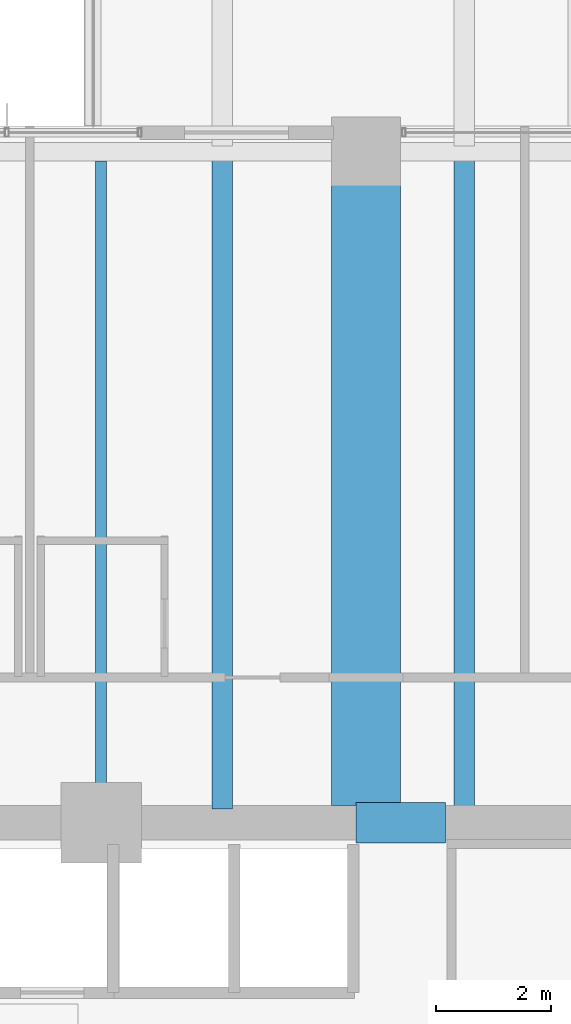
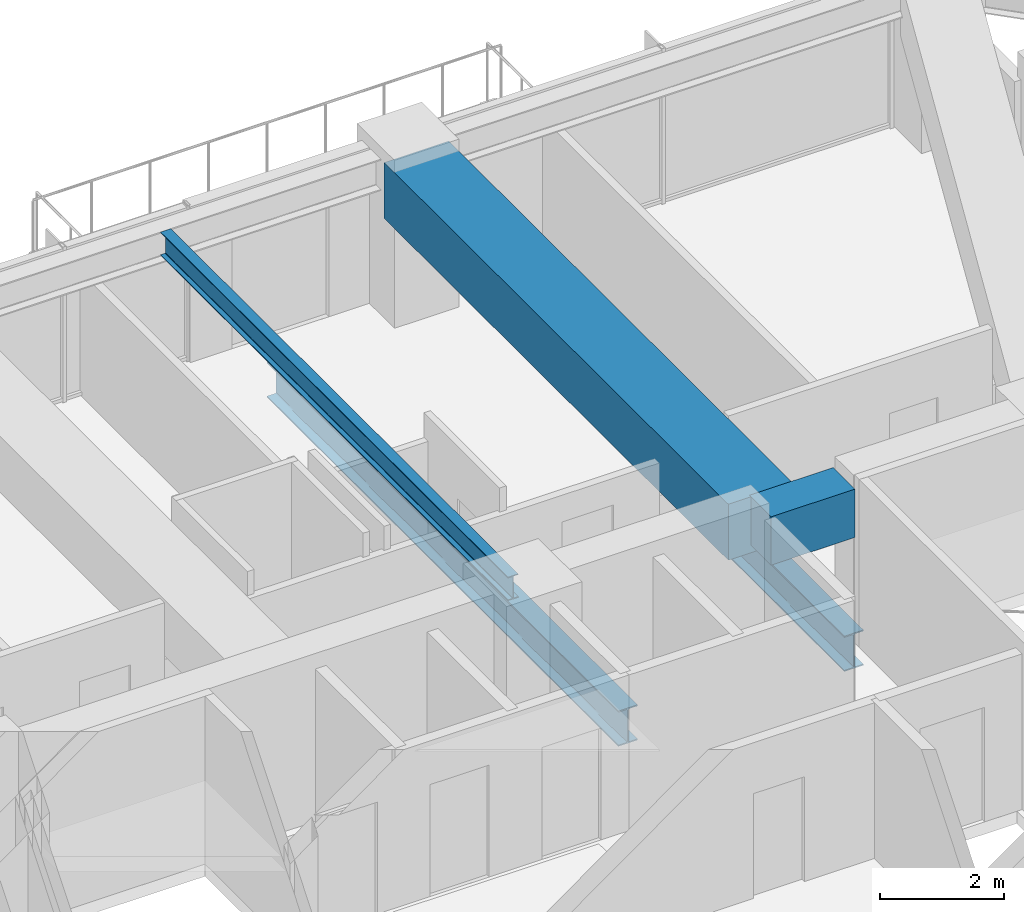
# One storey, part 22 of 39: 5 beams.
"""IFC4 building model written with IfcOpenShell, lengths in metres."""

from ifc_helpers import new_model, si_unit, direction, frame, origin, origin_2d, place, context, subcontext, project, spatial, rectangle, i_section, extrude, material, material_profile, profile_set, type_object, element, save


model = new_model("IFC4")

# Units and contexts
model_context = context("Model", 3, precision=1e-05, world=origin(), true_north=direction((0.0, 1.0)))
body_context = subcontext(model_context, "Body", "Model", "MODEL_VIEW")
ifc_project = project(units=[si_unit("LENGTHUNIT", "METRE"), si_unit("AREAUNIT", "SQUARE_METRE"), si_unit("VOLUMEUNIT", "CUBIC_METRE"), si_unit("PLANEANGLEUNIT", "RADIAN"), si_unit("MASSUNIT", "GRAM", prefix="KILO")], contexts=[model_context])

# Site, building, storey
site_placement = place(None, origin())
site = spatial("IfcSite", under=ifc_project, at=site_placement, CompositionType="ELEMENT")
building_placement = place(site_placement, origin())
building = spatial("IfcBuilding", under=site, at=building_placement, Name="Kolvaren Belvedere", CompositionType="ELEMENT")
storey_placement = place(building_placement, frame((0.0, 0.0, 33.699951171875)))
storey = spatial("IfcBuildingStorey", under=building, at=storey_placement, Name="L09", CompositionType="ELEMENT", Elevation=33.699951171875)

# Beams
ifc_material_1 = material(Name="Structural steel ASTM A992 Grade 50", Category="steel")
ifc_material_profile_1 = material_profile(ifc_material_1, i_section(OverallWidth=0.35498046875, OverallDepth=0.696044921875, WebThickness=0.015380859375, FlangeThickness=0.02490234375, FilletRadius=0.02197265625, at=origin_2d()), Name="W27X146")
ifc_profile_set_1 = profile_set([ifc_material_profile_1], Name="Structural steel ASTM A992 Grade 50")
beam_type_1 = type_object("IfcBeamType", Name="BM-GIRD-W27X146", PredefinedType="BEAM", material=ifc_profile_set_1)
for number, where, z_axis, x_axis, name in (
    (1, (2.10009765625, 10.139892578125, -0.587890625), (0.0, 1.0, 0.0), (-1.0, 0.0, 0.0), "L09 Balcony Interior Back-Span Girder SPIRAL-01-N-1"),
    (2, (6.300048828125, 10.139892578125, -0.587890625), (0.0, 1.0, 0.0), (-1.0, 0.0, 0.0), "L09 Balcony Interior Back-Span Girder SPIRAL-01-N-2"),
):
    element("IfcBeam", number, at=place(storey_placement, frame(where, z_axis=z_axis, x_axis=x_axis)), inside=storey, type_object=beam_type_1, Name=name, PredefinedType="BEAM", context=body_context, shape_type="SweptSolid", body=[
        extrude(i_section(OverallWidth=0.35498046875, OverallDepth=0.696044921875, WebThickness=0.015380859375, FlangeThickness=0.02490234375, FilletRadius=0.02197265625, at=origin_2d()), origin(), (0.0, 0.0, 1.0), 11.315185546875),
    ])
ifc_material_2 = material(Name="Structural steel ASTM A992 Grade 50", Category="steel")
ifc_material_profile_2 = material_profile(ifc_material_2, i_section(OverallWidth=0.19091796875, OverallDepth=0.4599609375, WebThickness=0.010009765625, FlangeThickness=0.01611328125, FilletRadius=0.014892578125, at=origin_2d()), Name="W18X55")
ifc_profile_set_2 = profile_set([ifc_material_profile_2], Name="Structural steel ASTM A992 Grade 50")
beam_type_2 = type_object("IfcBeamType", Name="BM-JOIST-W18X55", PredefinedType="BEAM", material=ifc_profile_set_2)
beam_1_placement = place(storey_placement, frame((0.0, 10.199951171875, 2.830078125), z_axis=(0.0, 1.0, 0.0), x_axis=(-1.0, 0.0, 0.0)))
element("IfcBeam", 3, at=beam_1_placement, inside=storey, type_object=beam_type_2, Name="L09 North Centre Floor Beam", PredefinedType="BEAM", context=body_context, shape_type="SweptSolid", body=[
    extrude(i_section(OverallWidth=0.19091796875, OverallDepth=0.4599609375, WebThickness=0.010009765625, FlangeThickness=0.01611328125, FilletRadius=0.014892578125, at=origin_2d()), origin(), (0.0, 0.0, 1.0), 11.1875),
])
ifc_material_3 = material(Name="Concrete C60/75", Category="concrete")
ifc_material_profile_3 = material_profile(ifc_material_3, rectangle(XDim=0.699951171875, YDim=0.949951171875, at=origin_2d()), Name="RC 700X950")
ifc_profile_set_3 = profile_set([ifc_material_profile_3], Name="Concrete C60/75")
beam_type_3 = type_object("IfcBeamType", Name="BM-LINT-950", PredefinedType="LINTEL", material=ifc_profile_set_3)
beam_2_placement = place(storey_placement, frame((4.419921875, 9.89990234375, 2.5849609375), z_axis=(1.0, 0.0, 0.0), x_axis=(0.0, 1.0, 0.0)))
element("IfcBeam", 4, at=beam_2_placement, inside=storey, type_object=beam_type_3, Name="L09 North Core Coupling Lintel", PredefinedType="LINTEL", context=body_context, shape_type="SweptSolid", body=[
    extrude(rectangle(XDim=0.699951171875, YDim=0.949951171875, at=origin_2d()), origin(), (0.0, 0.0, 1.0), 1.56005859375),
])
ifc_material_4 = material(Name="Concrete C50/60", Category="concrete")
ifc_material_profile_4 = material_profile(ifc_material_4, rectangle(XDim=1.199951171875, YDim=1.10009765625, at=origin_2d()), Name="RC 1200X1100")
ifc_profile_set_4 = profile_set([ifc_material_profile_4], Name="Concrete C50/60")
beam_type_4 = type_object("IfcBeamType", Name="BM-TG-1100", PredefinedType="BEAM", material=ifc_profile_set_4)
beam_3_placement = place(storey_placement, frame((4.60009765625, 10.199951171875, 2.510009765625), z_axis=(0.0, 1.0, 0.0), x_axis=(-1.0, 0.0, 0.0)))
element("IfcBeam", 5, at=beam_3_placement, inside=storey, type_object=beam_type_4, Name="L09 North Radial Girder P", PredefinedType="BEAM", context=body_context, shape_type="SweptSolid", body=[
    extrude(rectangle(XDim=1.199951171875, YDim=1.10009765625, at=origin_2d()), origin(), (0.0, 0.0, 1.0), 11.080078125),
])

save(model, "model.ifc")
